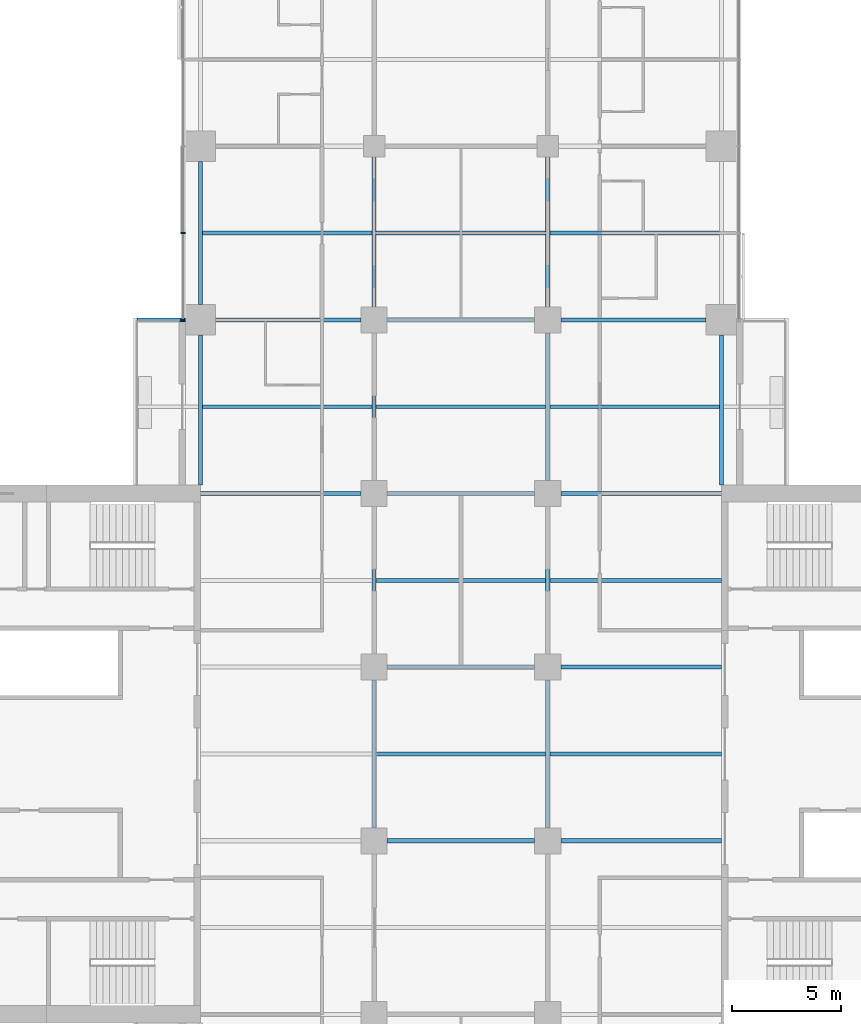
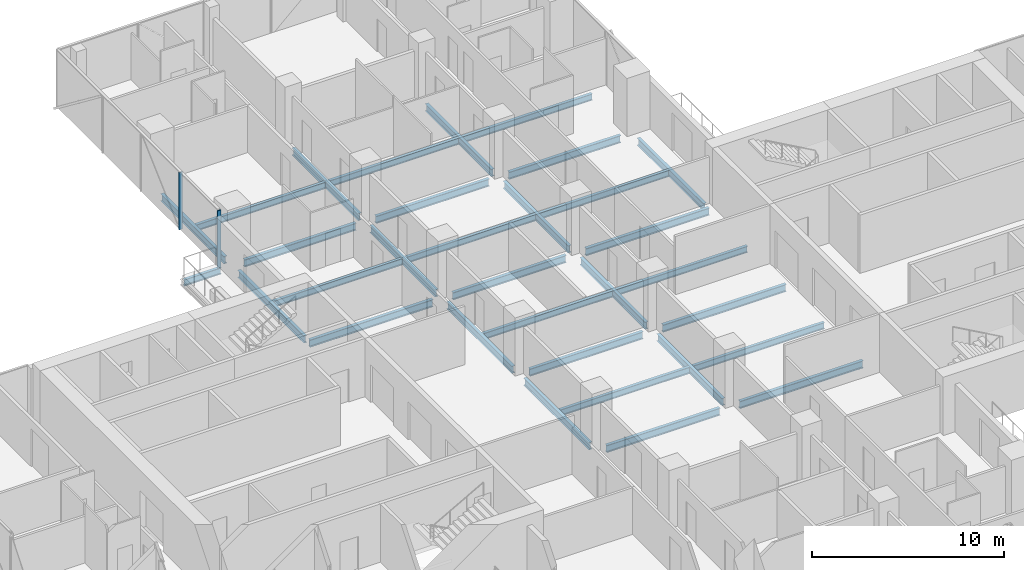
# One storey, part 9 of 27: 32 beams, 2 members, 1 element without a shape of its own.
"""IFC4 building model written with IfcOpenShell, lengths in metres."""

from ifc_helpers import new_model, si_unit, direction, frame, origin, origin_2d, place, context, subcontext, project, spatial, rectangle, i_section, extrude, material, material_profile, profile_set, type_object, element, aggregate, save


model = new_model("IFC4")

# Units and contexts
model_context = context("Model", 3, precision=1e-05, world=origin(), true_north=direction((0.0, 1.0)))
body_context = subcontext(model_context, "Body", "Model", "MODEL_VIEW")
ifc_project = project(units=[si_unit("LENGTHUNIT", "METRE"), si_unit("AREAUNIT", "SQUARE_METRE"), si_unit("VOLUMEUNIT", "CUBIC_METRE"), si_unit("PLANEANGLEUNIT", "RADIAN"), si_unit("MASSUNIT", "GRAM", prefix="KILO")], contexts=[model_context])

# Site, building, storey
site_placement = place(None, origin())
site = spatial("IfcSite", under=ifc_project, at=site_placement, CompositionType="ELEMENT")
building_placement = place(site_placement, origin())
building = spatial("IfcBuilding", under=site, at=building_placement, Name="Crosswind Convention Tower", CompositionType="ELEMENT")
storey_placement = place(building_placement, frame((0.0, 0.0, 75.699951171875)))
storey = spatial("IfcBuildingStorey", under=building, at=storey_placement, Name="L13", CompositionType="ELEMENT", Elevation=75.699951171875)

# Beams
ifc_material_1 = material(Name="Steel S355", Category="steel")
ifc_material_profile_1 = material_profile(ifc_material_1, i_section(OverallWidth=0.177734375, OverallDepth=0.406494140625, WebThickness=0.0078125, FlangeThickness=0.0126953125, FilletRadius=0.01025390625, at=origin_2d()), Name="UB 406x178x60")
ifc_profile_set_1 = profile_set([ifc_material_profile_1], Name="Steel S355")
beam_type_1 = type_object("IfcBeamType", Name="Balcony cantilever UB 406x178x60", PredefinedType="BEAM", material=ifc_profile_set_1)
beam_1_placement = place(storey_placement, frame((112.300048828125, 120.0, -0.483154296875), z_axis=(-1.0, 0.0, 0.0), x_axis=(0.0, -1.0, 0.0)))
element("IfcBeam", 1, at=beam_1_placement, inside=storey, type_object=beam_type_1, Name="B35 L13 balcony cantilever NW 5", PredefinedType="BEAM", context=body_context, shape_type="SweptSolid", body=[
    extrude(i_section(OverallWidth=0.177734375, OverallDepth=0.406494140625, WebThickness=0.0078125, FlangeThickness=0.0126953125, FilletRadius=0.01025390625, at=origin_2d()), origin(), (0.0, 0.0, 1.0), 2.214599609375),
])
ifc_material_profile_2 = material_profile(ifc_material_1, i_section(OverallWidth=0.1904296875, OverallDepth=0.457275390625, WebThickness=0.009033203125, FlangeThickness=0.014404296875, FilletRadius=0.01025390625, at=origin_2d()), Name="UB 457x191x75")
ifc_profile_set_2 = profile_set([ifc_material_profile_2], Name="Steel S355")
beam_type_2 = type_object("IfcBeamType", Name="Edge beam UB 457x191x75", PredefinedType="SPANDREL", material=ifc_profile_set_2)
beam_2_placement = place(storey_placement, frame((113.0, 112.39990234375, -0.508544921875), z_axis=(0.0, 1.0, 0.0), x_axis=(-1.0, 0.0, 0.0)))
element("IfcBeam", 2, at=beam_2_placement, inside=storey, type_object=beam_type_2, Name="B17 L13 edge beam 9", PredefinedType="SPANDREL", context=body_context, shape_type="SweptSolid", body=[
    extrude(i_section(OverallWidth=0.1904296875, OverallDepth=0.457275390625, WebThickness=0.009033203125, FlangeThickness=0.014404296875, FilletRadius=0.01025390625, at=origin_2d()), origin(), (0.0, 0.0, 1.0), 6.900146484375),
])
beam_3_placement = place(storey_placement, frame((113.0, 120.699951171875, -0.508544921875), z_axis=(0.0, 1.0, 0.0), x_axis=(-1.0, 0.0, 0.0)))
element("IfcBeam", 3, at=beam_3_placement, inside=storey, type_object=beam_type_2, Name="B17 L13 edge beam 10", PredefinedType="SPANDREL", context=body_context, shape_type="SweptSolid", body=[
    extrude(i_section(OverallWidth=0.1904296875, OverallDepth=0.457275390625, WebThickness=0.009033203125, FlangeThickness=0.014404296875, FilletRadius=0.01025390625, at=origin_2d()), origin(), (0.0, 0.0, 1.0), 6.60009765625),
])
beam_4_placement = place(storey_placement, frame((137.0, 112.39990234375, -0.508544921875), z_axis=(0.0, 1.0, 0.0), x_axis=(-1.0, 0.0, 0.0)))
element("IfcBeam", 4, at=beam_4_placement, inside=storey, type_object=beam_type_2, Name="B17 L13 edge beam 21", PredefinedType="SPANDREL", context=body_context, shape_type="SweptSolid", body=[
    extrude(i_section(OverallWidth=0.1904296875, OverallDepth=0.457275390625, WebThickness=0.009033203125, FlangeThickness=0.014404296875, FilletRadius=0.01025390625, at=origin_2d()), origin(), (0.0, 0.0, 1.0), 6.900146484375),
])
ifc_material_profile_3 = material_profile(ifc_material_1, i_section(OverallWidth=0.19140625, OverallDepth=0.460205078125, WebThickness=0.010009765625, FlangeThickness=0.01611328125, FilletRadius=0.01025390625, at=origin_2d()), Name="UB 457x191x82")
ifc_profile_set_3 = profile_set([ifc_material_profile_3], Name="Steel S355")
beam_type_3 = type_object("IfcBeamType", Name="Girder UB 457x191x82", PredefinedType="BEAM", material=ifc_profile_set_3)
beam_5_placement = place(storey_placement, frame((113.699951171875, 120.0, -0.510009765625), z_axis=(1.0, 0.0, 0.0), x_axis=(0.0, 1.0, 0.0)))
element("IfcBeam", 5, at=beam_5_placement, inside=storey, type_object=beam_type_3, Name="B3 L13 girder 3", PredefinedType="BEAM", context=body_context, shape_type="SweptSolid", body=[
    extrude(i_section(OverallWidth=0.19140625, OverallDepth=0.460205078125, WebThickness=0.010009765625, FlangeThickness=0.01611328125, FilletRadius=0.01025390625, at=origin_2d()), origin(), (0.0, 0.0, 1.0), 6.699951171875),
])
for number, where, z_axis, x_axis, name in (
    (6, (121.0, 96.60009765625, -0.510009765625), (0.0, 1.0, 0.0), (-1.0, 0.0, 0.0), "B3 L13 girder 9"),
    (7, (121.0, 104.60009765625, -0.510009765625), (0.0, 1.0, 0.0), (-1.0, 0.0, 0.0), "B3 L13 girder 10"),
    (8, (121.0, 112.60009765625, -0.510009765625), (0.0, 1.0, 0.0), (-1.0, 0.0, 0.0), "B3 L13 girder 11"),
):
    element("IfcBeam", number, at=place(storey_placement, frame(where, z_axis=z_axis, x_axis=x_axis)), inside=storey, type_object=beam_type_3, Name=name, PredefinedType="BEAM", context=body_context, shape_type="SweptSolid", body=[
        extrude(i_section(OverallWidth=0.19140625, OverallDepth=0.460205078125, WebThickness=0.010009765625, FlangeThickness=0.01611328125, FilletRadius=0.01025390625, at=origin_2d()), origin(), (0.0, 0.0, 1.0), 6.7998046875),
    ])
beam_6_placement = place(storey_placement, frame((121.0, 120.60009765625, -0.510009765625), z_axis=(0.0, 1.0, 0.0), x_axis=(-1.0, 0.0, 0.0)))
element("IfcBeam", 9, at=beam_6_placement, inside=storey, type_object=beam_type_3, Name="B3 L13 girder 12", PredefinedType="BEAM", context=body_context, shape_type="SweptSolid", body=[
    extrude(i_section(OverallWidth=0.19140625, OverallDepth=0.460205078125, WebThickness=0.010009765625, FlangeThickness=0.01611328125, FilletRadius=0.01025390625, at=origin_2d()), origin(), (0.0, 0.0, 1.0), 6.89990234375),
])
for number, where, z_axis, x_axis, name in (
    (10, (121.60009765625, 96.0, -0.510009765625), (1.0, 0.0, 0.0), (0.0, 1.0, 0.0), "B3 L13 girder 18"),
    (11, (121.60009765625, 104.0, -0.510009765625), (1.0, 0.0, 0.0), (0.0, 1.0, 0.0), "B3 L13 girder 19"),
    (12, (121.60009765625, 112.0, -0.510009765625), (1.0, 0.0, 0.0), (0.0, 1.0, 0.0), "B3 L13 girder 20"),
    (13, (121.60009765625, 120.0, -0.510009765625), (1.0, 0.0, 0.0), (0.0, 1.0, 0.0), "B3 L13 girder 21"),
    (14, (129.0, 96.60009765625, -0.510009765625), (0.0, 1.0, 0.0), (-1.0, 0.0, 0.0), "B3 L13 girder 26"),
    (15, (129.0, 104.60009765625, -0.510009765625), (0.0, 1.0, 0.0), (-1.0, 0.0, 0.0), "B3 L13 girder 27"),
    (16, (129.0, 112.60009765625, -0.510009765625), (0.0, 1.0, 0.0), (-1.0, 0.0, 0.0), "B3 L13 girder 28"),
):
    element("IfcBeam", number, at=place(storey_placement, frame(where, z_axis=z_axis, x_axis=x_axis)), inside=storey, type_object=beam_type_3, Name=name, PredefinedType="BEAM", context=body_context, shape_type="SweptSolid", body=[
        extrude(i_section(OverallWidth=0.19140625, OverallDepth=0.460205078125, WebThickness=0.010009765625, FlangeThickness=0.01611328125, FilletRadius=0.01025390625, at=origin_2d()), origin(), (0.0, 0.0, 1.0), 6.7998046875),
    ])
beam_7_placement = place(storey_placement, frame((129.0, 120.60009765625, -0.510009765625), z_axis=(0.0, 1.0, 0.0), x_axis=(-1.0, 0.0, 0.0)))
element("IfcBeam", 17, at=beam_7_placement, inside=storey, type_object=beam_type_3, Name="B3 L13 girder 29", PredefinedType="BEAM", context=body_context, shape_type="SweptSolid", body=[
    extrude(i_section(OverallWidth=0.19140625, OverallDepth=0.460205078125, WebThickness=0.010009765625, FlangeThickness=0.01611328125, FilletRadius=0.01025390625, at=origin_2d()), origin(), (0.0, 0.0, 1.0), 6.89990234375),
])
beam_8_placement = place(storey_placement, frame((129.60009765625, 120.0, -0.510009765625), z_axis=(1.0, 0.0, 0.0), x_axis=(0.0, 1.0, 0.0)))
element("IfcBeam", 18, at=beam_8_placement, inside=storey, type_object=beam_type_3, Name="B3 L13 girder 34", PredefinedType="BEAM", context=body_context, shape_type="SweptSolid", body=[
    extrude(i_section(OverallWidth=0.19140625, OverallDepth=0.460205078125, WebThickness=0.010009765625, FlangeThickness=0.01611328125, FilletRadius=0.01025390625, at=origin_2d()), origin(), (0.0, 0.0, 1.0), 6.699951171875),
])
ifc_material_profile_4 = material_profile(ifc_material_1, i_section(OverallWidth=0.19189453125, OverallDepth=0.463623046875, WebThickness=0.010498046875, FlangeThickness=0.017578125, FilletRadius=0.01025390625, at=origin_2d()), Name="UB 457x191x90")
ifc_profile_set_4 = profile_set([ifc_material_profile_4], Name="Steel S355")
beam_type_4 = type_object("IfcBeamType", Name="Girder at core wall UB 457x191x90", PredefinedType="BEAM", material=ifc_profile_set_4)
for number, where, z_axis, x_axis, name in (
    (19, (113.0, 112.0, -0.51171875), (1.0, 0.0, 0.0), (0.0, 1.0, 0.0), "B24 L13 girder at core wall 6"),
    (20, (129.60009765625, 96.0, -0.51171875), (1.0, 0.0, 0.0), (0.0, 1.0, 0.0), "B24 L13 girder at core wall 8"),
    (21, (129.60009765625, 104.0, -0.51171875), (1.0, 0.0, 0.0), (0.0, 1.0, 0.0), "B24 L13 girder at core wall 9"),
    (22, (129.60009765625, 112.0, -0.51171875), (1.0, 0.0, 0.0), (0.0, 1.0, 0.0), "B24 L13 girder at core wall 10"),
):
    element("IfcBeam", number, at=place(storey_placement, frame(where, z_axis=z_axis, x_axis=x_axis)), inside=storey, type_object=beam_type_4, Name=name, PredefinedType="BEAM", context=body_context, shape_type="SweptSolid", body=[
        extrude(i_section(OverallWidth=0.19189453125, OverallDepth=0.463623046875, WebThickness=0.010498046875, FlangeThickness=0.017578125, FilletRadius=0.01025390625, at=origin_2d()), origin(), (0.0, 0.0, 1.0), 7.39990234375),
    ])

# Curtain wall, members
ifc_material_2 = material(Name="Aluminium unitised curtain wall", Category="aluminium")
curtain_wall_type = type_object("IfcCurtainWallType", Name="HOTEL UNITISED WALL 200", PredefinedType="USERDEFINED", material=ifc_material_2)
curtain_wall_placement = place(storey_placement, origin())
curtain_wall = element("IfcCurtainWall", 23, at=curtain_wall_placement, inside=storey, type_object=curtain_wall_type, Name="CW2 L13 N-W 1", ObjectType="UNITISED", PredefinedType="USERDEFINED")
ifc_material_3 = material(Name="Aluminium mullion", Category="aluminium")
ifc_material_profile_5 = material_profile(ifc_material_3, rectangle(XDim=0.199951171875, YDim=0.06494140625, at=origin_2d()), Name="AL 200X65")
ifc_profile_set_5 = profile_set([ifc_material_profile_5], Name="Aluminium mullion")
member_type = type_object("IfcMemberType", Name="MULLION 65X200", PredefinedType="MULLION", material=ifc_profile_set_5)
member_1_placement = place(storey_placement, frame((112.199951171875, 124.0, -0.280029296875), z_axis=(0.0, 0.0, 1.0), x_axis=(-1.0, 0.0, 0.0)))
member_1 = element("IfcMember", 24, at=member_1_placement, type_object=member_type, Name="CW2 mullion 4", PredefinedType="MULLION", context=body_context, shape_type="SweptSolid", body=[
    extrude(rectangle(XDim=0.199951171875, YDim=0.06494140625, at=origin_2d()), origin(), (0.0, 0.0, 1.0), 3.635009765625),
])
member_2_placement = place(storey_placement, frame((112.199951171875, 120.0, -0.280029296875), z_axis=(0.0, 0.0, 1.0), x_axis=(-1.0, 0.0, 0.0)))
member_2 = element("IfcMember", 25, at=member_2_placement, type_object=member_type, Name="CW2 mullion 5", PredefinedType="MULLION", context=body_context, shape_type="SweptSolid", body=[
    extrude(rectangle(XDim=0.199951171875, YDim=0.06494140625, at=origin_2d()), origin(), (0.0, 0.0, 1.0), 3.635009765625),
])
aggregate(curtain_wall, [member_1, member_2])

# Beams
ifc_material_profile_6 = material_profile(ifc_material_1, i_section(OverallWidth=0.177734375, OverallDepth=0.406494140625, WebThickness=0.0078125, FlangeThickness=0.0126953125, FilletRadius=0.01025390625, at=origin_2d()), Name="UB 406x178x60")
ifc_profile_set_6 = profile_set([ifc_material_profile_6], Name="Steel S355")
beam_type_5 = type_object("IfcBeamType", Name="Secondary beam UB 406x178x60", PredefinedType="JOIST", material=ifc_profile_set_6)
for number, where, z_axis, x_axis, name in (
    (26, (113.09521484375, 116.0, -0.483154296875), (1.0, 0.0, 0.0), (0.0, 1.0, 0.0), "B10 L13 secondary beam 10"),
    (27, (113.09521484375, 124.0, -0.483154296875), (1.0, 0.0, 0.0), (0.0, 1.0, 0.0), "B10 L13 secondary beam 11"),
):
    element("IfcBeam", number, at=place(storey_placement, frame(where, z_axis=z_axis, x_axis=x_axis)), inside=storey, type_object=beam_type_5, Name=name, PredefinedType="JOIST", context=body_context, shape_type="SweptSolid", body=[
        extrude(i_section(OverallWidth=0.177734375, OverallDepth=0.406494140625, WebThickness=0.0078125, FlangeThickness=0.0126953125, FilletRadius=0.01025390625, at=origin_2d()), origin(), (0.0, 0.0, 1.0), 7.80908203125),
    ])
for number, where, z_axis, x_axis, name in (
    (28, (121.095703125, 100.0, -0.483154296875), (1.0, 0.0, 0.0), (0.0, 1.0, 0.0), "B10 L13 secondary beam 17"),
    (29, (121.095703125, 108.0, -0.483154296875), (1.0, 0.0, 0.0), (0.0, 1.0, 0.0), "B10 L13 secondary beam 18"),
    (30, (121.095703125, 116.0, -0.483154296875), (1.0, 0.0, 0.0), (0.0, 1.0, 0.0), "B10 L13 secondary beam 19"),
    (31, (121.095703125, 124.0, -0.483154296875), (1.0, 0.0, 0.0), (0.0, 1.0, 0.0), "B10 L13 secondary beam 20"),
):
    element("IfcBeam", number, at=place(storey_placement, frame(where, z_axis=z_axis, x_axis=x_axis)), inside=storey, type_object=beam_type_5, Name=name, PredefinedType="JOIST", context=body_context, shape_type="SweptSolid", body=[
        extrude(i_section(OverallWidth=0.177734375, OverallDepth=0.406494140625, WebThickness=0.0078125, FlangeThickness=0.0126953125, FilletRadius=0.01025390625, at=origin_2d()), origin(), (0.0, 0.0, 1.0), 7.80859375),
    ])
for number, where, z_axis, x_axis, name in (
    (32, (129.095703125, 100.0, -0.483154296875), (1.0, 0.0, 0.0), (0.0, 1.0, 0.0), "B10 L13 secondary beam 26"),
    (33, (129.095703125, 108.0, -0.483154296875), (1.0, 0.0, 0.0), (0.0, 1.0, 0.0), "B10 L13 secondary beam 27"),
):
    element("IfcBeam", number, at=place(storey_placement, frame(where, z_axis=z_axis, x_axis=x_axis)), inside=storey, type_object=beam_type_5, Name=name, PredefinedType="JOIST", context=body_context, shape_type="SweptSolid", body=[
        extrude(i_section(OverallWidth=0.177734375, OverallDepth=0.406494140625, WebThickness=0.0078125, FlangeThickness=0.0126953125, FilletRadius=0.01025390625, at=origin_2d()), origin(), (0.0, 0.0, 1.0), 7.904296875),
    ])
for number, where, z_axis, x_axis, name in (
    (34, (129.095703125, 116.0, -0.483154296875), (1.0, 0.0, 0.0), (0.0, 1.0, 0.0), "B10 L13 secondary beam 28"),
    (35, (129.095703125, 124.0, -0.483154296875), (1.0, 0.0, 0.0), (0.0, 1.0, 0.0), "B10 L13 secondary beam 29"),
):
    element("IfcBeam", number, at=place(storey_placement, frame(where, z_axis=z_axis, x_axis=x_axis)), inside=storey, type_object=beam_type_5, Name=name, PredefinedType="JOIST", context=body_context, shape_type="SweptSolid", body=[
        extrude(i_section(OverallWidth=0.177734375, OverallDepth=0.406494140625, WebThickness=0.0078125, FlangeThickness=0.0126953125, FilletRadius=0.01025390625, at=origin_2d()), origin(), (0.0, 0.0, 1.0), 7.80908203125),
    ])

save(model, "model.ifc")
